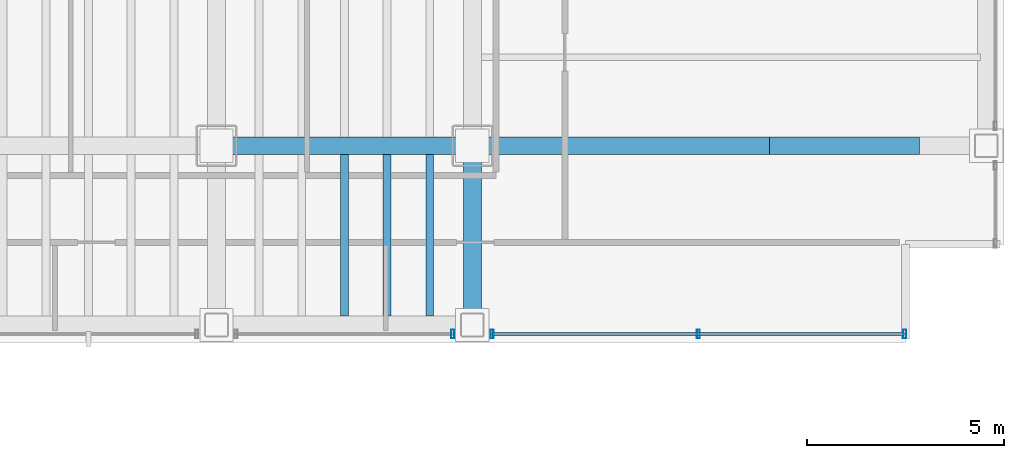
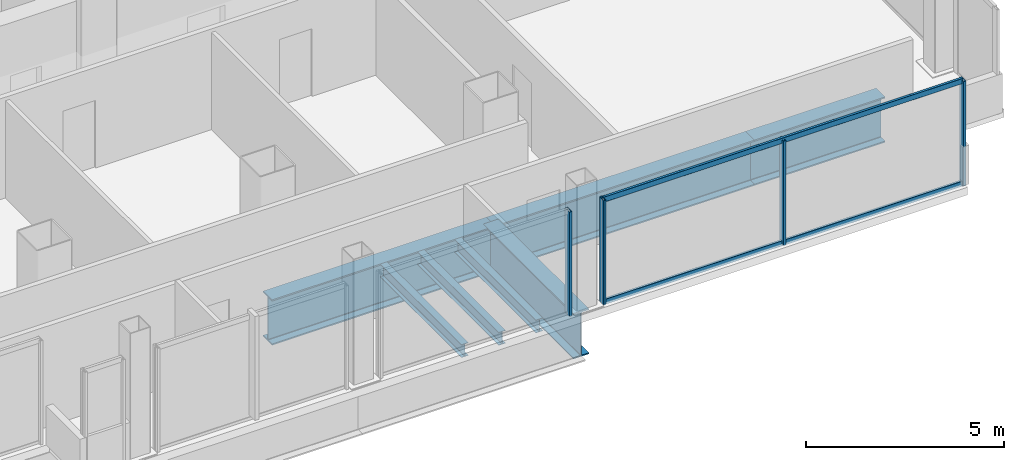
# One storey, part 11 of 23: 7 beams, 6 members, 2 elements without a shape of their own.
"""IFC4 building model written with IfcOpenShell, lengths in metres."""

from ifc_helpers import new_model, si_unit, direction, frame, origin, origin_2d, place, context, subcontext, project, spatial, hollow_rectangle, i_section, extrude, material, material_profile, profile_set, type_object, element, aggregate, save


model = new_model("IFC4")

# Units and contexts
model_context = context("Model", 3, precision=1e-05, world=origin(), true_north=direction((0.0, 1.0)))
body_context = subcontext(model_context, "Body", "Model", "MODEL_VIEW")
ifc_project = project(units=[si_unit("LENGTHUNIT", "METRE"), si_unit("AREAUNIT", "SQUARE_METRE"), si_unit("VOLUMEUNIT", "CUBIC_METRE"), si_unit("PLANEANGLEUNIT", "RADIAN"), si_unit("MASSUNIT", "GRAM", prefix="KILO")], contexts=[model_context])

# Site, building, storey
site_placement = place(None, origin())
site = spatial("IfcSite", under=ifc_project, at=site_placement, CompositionType="ELEMENT")
building_placement = place(site_placement, origin())
building = spatial("IfcBuilding", under=site, at=building_placement, Name="Noeulbin Bourse Tower", CompositionType="ELEMENT")
storey_placement = place(building_placement, frame((0.0, 0.0, 53.800048828125)))
storey = spatial("IfcBuildingStorey", under=building, at=storey_placement, Name="L13", CompositionType="ELEMENT", Elevation=53.800048828125)

# Beams
ifc_material_1 = material(Name="Steel S355", Category="steel")
ifc_material_profile_1 = material_profile(ifc_material_1, i_section(OverallWidth=0.199951171875, OverallDepth=0.39990234375, WebThickness=0.008056640625, FlangeThickness=0.012939453125, FilletRadius=0.01611328125, at=origin_2d()), Name="H-400x200x8x13", Category="LoadBearing")
ifc_profile_set_1 = profile_set([ifc_material_profile_1], Name="Steel S355")
beam_type_1 = type_object("IfcBeamType", Name="BM-SEC-400", PredefinedType="BEAM", material=ifc_profile_set_1)
for number, where, z_axis, x_axis, name in (
    (1, (40.75, 15.675048828125, -0.43994140625), (0.0, 1.0, 0.0), (-1.0, 0.0, 0.0), "Tower Composite Joist L13-61"),
    (2, (41.833251953125, 15.675048828125, -0.43994140625), (0.0, 1.0, 0.0), (-1.0, 0.0, 0.0), "Tower Composite Joist L13-64"),
    (3, (42.916748046875, 15.675048828125, -0.43994140625), (0.0, 1.0, 0.0), (-1.0, 0.0, 0.0), "Tower Composite Joist L13-67"),
):
    element("IfcBeam", number, at=place(storey_placement, frame(where, z_axis=z_axis, x_axis=x_axis)), inside=storey, type_object=beam_type_1, Name=name, PredefinedType="BEAM", context=body_context, shape_type="SweptSolid", body=[
        extrude(i_section(OverallWidth=0.199951171875, OverallDepth=0.39990234375, WebThickness=0.008056640625, FlangeThickness=0.012939453125, FilletRadius=0.01611328125, at=origin_2d()), origin(), (0.0, 0.0, 1.0), 4.099853515625),
    ])
ifc_material_2 = material(Name="Steel S460", Category="steel")
ifc_material_profile_2 = material_profile(ifc_material_2, i_section(OverallWidth=0.449951171875, OverallDepth=1.39990234375, WebThickness=0.02392578125, FlangeThickness=0.0400390625, FilletRadius=0.02392578125, at=origin_2d()), Name="PG-1400x450x24x40", Category="LoadBearing")
ifc_profile_set_2 = profile_set([ifc_material_profile_2], Name="Steel S460")
beam_type_2 = type_object("IfcBeamType", Name="BM-TRF-1400", PredefinedType="USERDEFINED", material=ifc_profile_set_2)
beam_1_placement = place(storey_placement, frame((37.5, 20.0, -0.93994140625), z_axis=(1.0, 0.0, 0.0), x_axis=(0.0, 1.0, 0.0)))
element("IfcBeam", 4, at=beam_1_placement, inside=storey, type_object=beam_type_2, Name="Tower Primary Girder EW L13-1.5", ObjectType="GIRDER", PredefinedType="USERDEFINED", context=body_context, shape_type="SweptSolid", body=[
    extrude(i_section(OverallWidth=0.449951171875, OverallDepth=1.39990234375, WebThickness=0.02392578125, FlangeThickness=0.0400390625, FilletRadius=0.02392578125, at=origin_2d()), origin(), (0.0, 0.0, 1.0), 6.5),
])
beam_2_placement = place(storey_placement, frame((44.0, 20.0, -0.93994140625), z_axis=(1.0, 0.0, 0.0), x_axis=(0.0, 1.0, 0.0)))
element("IfcBeam", 5, at=beam_2_placement, inside=storey, type_object=beam_type_2, Name="Tower Primary Girder EW L13-1.6", ObjectType="GIRDER", PredefinedType="USERDEFINED", context=body_context, shape_type="SweptSolid", body=[
    extrude(i_section(OverallWidth=0.449951171875, OverallDepth=1.39990234375, WebThickness=0.02392578125, FlangeThickness=0.0400390625, FilletRadius=0.02392578125, at=origin_2d()), origin(), (0.0, 0.0, 1.0), 7.550048828125),
])
beam_3_placement = place(storey_placement, frame((51.550048828125, 20.0, -0.93994140625), z_axis=(1.0, 0.0, 0.0), x_axis=(0.0, 1.0, 0.0)))
element("IfcBeam", 6, at=beam_3_placement, inside=storey, type_object=beam_type_2, Name="Tower Primary Girder EW L13-1.7", ObjectType="GIRDER", PredefinedType="USERDEFINED", context=body_context, shape_type="SweptSolid", body=[
    extrude(i_section(OverallWidth=0.449951171875, OverallDepth=1.39990234375, WebThickness=0.02392578125, FlangeThickness=0.0400390625, FilletRadius=0.02392578125, at=origin_2d()), origin(), (0.0, 0.0, 1.0), 3.800048828125),
])
beam_4_placement = place(storey_placement, frame((44.0, 15.449951171875, -0.93994140625), z_axis=(0.0, 1.0, 0.0), x_axis=(-1.0, 0.0, 0.0)))
element("IfcBeam", 7, at=beam_4_placement, inside=storey, type_object=beam_type_2, Name="Tower Primary Girder NS L13-5.1", ObjectType="GIRDER", PredefinedType="USERDEFINED", context=body_context, shape_type="SweptSolid", body=[
    extrude(i_section(OverallWidth=0.449951171875, OverallDepth=1.39990234375, WebThickness=0.02392578125, FlangeThickness=0.0400390625, FilletRadius=0.02392578125, at=origin_2d()), origin(), (0.0, 0.0, 1.0), 4.550048828125),
])

# Curtain wall, member
ifc_material_3 = material(Name="Dark Solar-Control Double Glazing", Category="glass")
curtain_wall_type = type_object("IfcCurtainWallType", Name="CW-SYS-2", PredefinedType="NOTDEFINED", material=ifc_material_3)
curtain_wall_1_placement = place(storey_placement, origin())
curtain_wall_1 = element("IfcCurtainWall", 8, at=curtain_wall_1_placement, inside=storey, type_object=curtain_wall_type, Name="Unitised Curtain Wall CW-L13-S3-S3", PredefinedType="NOTDEFINED")
ifc_material_4 = material(Name="Anodised Aluminium 6063-T6", Category="aluminium")
ifc_material_profile_3 = material_profile(ifc_material_4, hollow_rectangle(XDim=0.074951171875, YDim=0.219970703125, WallThickness=0.0048828125, InnerFilletRadius=0.00244140625, OuterFilletRadius=0.0048828125, at=origin_2d()), Name="ALU-MULL-75x220x5", Category="LoadBearing")
ifc_profile_set_3 = profile_set([ifc_material_profile_3], Name="Anodised Aluminium 6063-T6")
member_type_1 = type_object("IfcMemberType", Name="CW-SYS-2-MUL", PredefinedType="MULLION", material=ifc_profile_set_3)
member_1_placement = place(storey_placement, frame((43.5, 15.219970703125, -0.02001953125), z_axis=(0.0, 0.0, 1.0), x_axis=(1.0, 0.0, 0.0)))
member_1 = element("IfcMember", 9, at=member_1_placement, type_object=member_type_1, Name="Curtain Wall Mullion CW-L13-S3-S3-M01", PredefinedType="MULLION", context=body_context, shape_type="SweptSolid", body=[
    extrude(hollow_rectangle(XDim=0.074951171875, YDim=0.219970703125, WallThickness=0.0048828125, InnerFilletRadius=0.00244140625, OuterFilletRadius=0.0048828125, at=origin_2d()), origin(), (0.0, 0.0, 1.0), 3.219970703125),
])
aggregate(curtain_wall_1, [member_1])

# Curtain wall, members
curtain_wall_2_placement = place(storey_placement, origin())
curtain_wall_2 = element("IfcCurtainWall", 10, at=curtain_wall_2_placement, inside=storey, type_object=curtain_wall_type, Name="Unitised Curtain Wall CW-L13-S3-S4", PredefinedType="NOTDEFINED")
member_2_placement = place(storey_placement, frame((44.5, 15.219970703125, -0.02001953125), z_axis=(0.0, 0.0, 1.0), x_axis=(1.0, 0.0, 0.0)))
member_2 = element("IfcMember", 11, at=member_2_placement, type_object=member_type_1, Name="Curtain Wall Mullion CW-L13-S3-S4-M00", PredefinedType="MULLION", context=body_context, shape_type="SweptSolid", body=[
    extrude(hollow_rectangle(XDim=0.074951171875, YDim=0.219970703125, WallThickness=0.0048828125, InnerFilletRadius=0.00244140625, OuterFilletRadius=0.0048828125, at=origin_2d()), origin(), (0.0, 0.0, 1.0), 3.219970703125),
])
member_3_placement = place(storey_placement, frame((49.739990234375, 15.219970703125, -0.02001953125), z_axis=(0.0, 0.0, 1.0), x_axis=(1.0, 0.0, 0.0)))
member_3 = element("IfcMember", 12, at=member_3_placement, type_object=member_type_1, Name="Curtain Wall Mullion CW-L13-S3-S4-M01", PredefinedType="MULLION", context=body_context, shape_type="SweptSolid", body=[
    extrude(hollow_rectangle(XDim=0.074951171875, YDim=0.219970703125, WallThickness=0.0048828125, InnerFilletRadius=0.00244140625, OuterFilletRadius=0.0048828125, at=origin_2d()), origin(), (0.0, 0.0, 1.0), 3.219970703125),
])
member_4_placement = place(storey_placement, frame((54.97998046875, 15.219970703125, -0.02001953125), z_axis=(0.0, 0.0, 1.0), x_axis=(1.0, 0.0, 0.0)))
member_4 = element("IfcMember", 13, at=member_4_placement, type_object=member_type_1, Name="Curtain Wall Mullion CW-L13-S3-S4-M02", PredefinedType="MULLION", context=body_context, shape_type="SweptSolid", body=[
    extrude(hollow_rectangle(XDim=0.074951171875, YDim=0.219970703125, WallThickness=0.0048828125, InnerFilletRadius=0.00244140625, OuterFilletRadius=0.0048828125, at=origin_2d()), origin(), (0.0, 0.0, 1.0), 3.219970703125),
])
ifc_material_profile_4 = material_profile(ifc_material_4, hollow_rectangle(XDim=0.074951171875, YDim=0.159912109375, WallThickness=0.0048828125, InnerFilletRadius=0.00244140625, OuterFilletRadius=0.0048828125, at=origin_2d()), Name="ALU-TRAN-75x160x5", Category="LoadBearing")
ifc_profile_set_4 = profile_set([ifc_material_profile_4], Name="Anodised Aluminium 6063-T6")
member_type_2 = type_object("IfcMemberType", Name="CW-SYS-2-TRN", PredefinedType="USERDEFINED", material=ifc_profile_set_4)
member_5_placement = place(storey_placement, frame((44.510009765625, 15.219970703125, 0.010009765625), z_axis=(1.0, 0.0, 0.0), x_axis=(0.0, 1.0, 0.0)))
member_5 = element("IfcMember", 14, at=member_5_placement, type_object=member_type_2, Name="Curtain Wall Transom CW-L13-S3-S4-T00", ObjectType="TRANSOM", PredefinedType="USERDEFINED", context=body_context, shape_type="SweptSolid", body=[
    extrude(hollow_rectangle(XDim=0.074951171875, YDim=0.159912109375, WallThickness=0.0048828125, InnerFilletRadius=0.00244140625, OuterFilletRadius=0.0048828125, at=origin_2d()), origin(), (0.0, 0.0, 1.0), 10.4599609375),
])
member_6_placement = place(storey_placement, frame((44.510009765625, 15.219970703125, 3.169921875), z_axis=(1.0, 0.0, 0.0), x_axis=(0.0, 1.0, 0.0)))
member_6 = element("IfcMember", 15, at=member_6_placement, type_object=member_type_2, Name="Curtain Wall Transom CW-L13-S3-S4-T01", ObjectType="TRANSOM", PredefinedType="USERDEFINED", context=body_context, shape_type="SweptSolid", body=[
    extrude(hollow_rectangle(XDim=0.074951171875, YDim=0.159912109375, WallThickness=0.0048828125, InnerFilletRadius=0.00244140625, OuterFilletRadius=0.0048828125, at=origin_2d()), origin(), (0.0, 0.0, 1.0), 10.4599609375),
])
aggregate(curtain_wall_2, [member_2, member_3, member_4, member_5, member_6])

save(model, "model.ifc")
